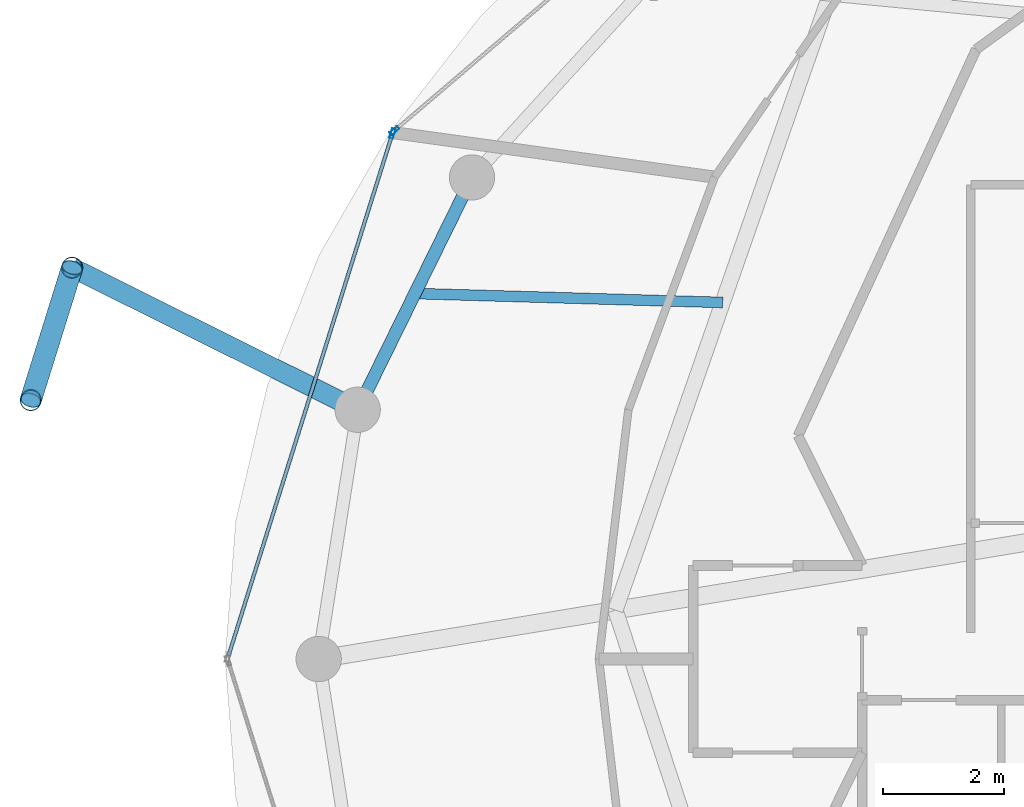
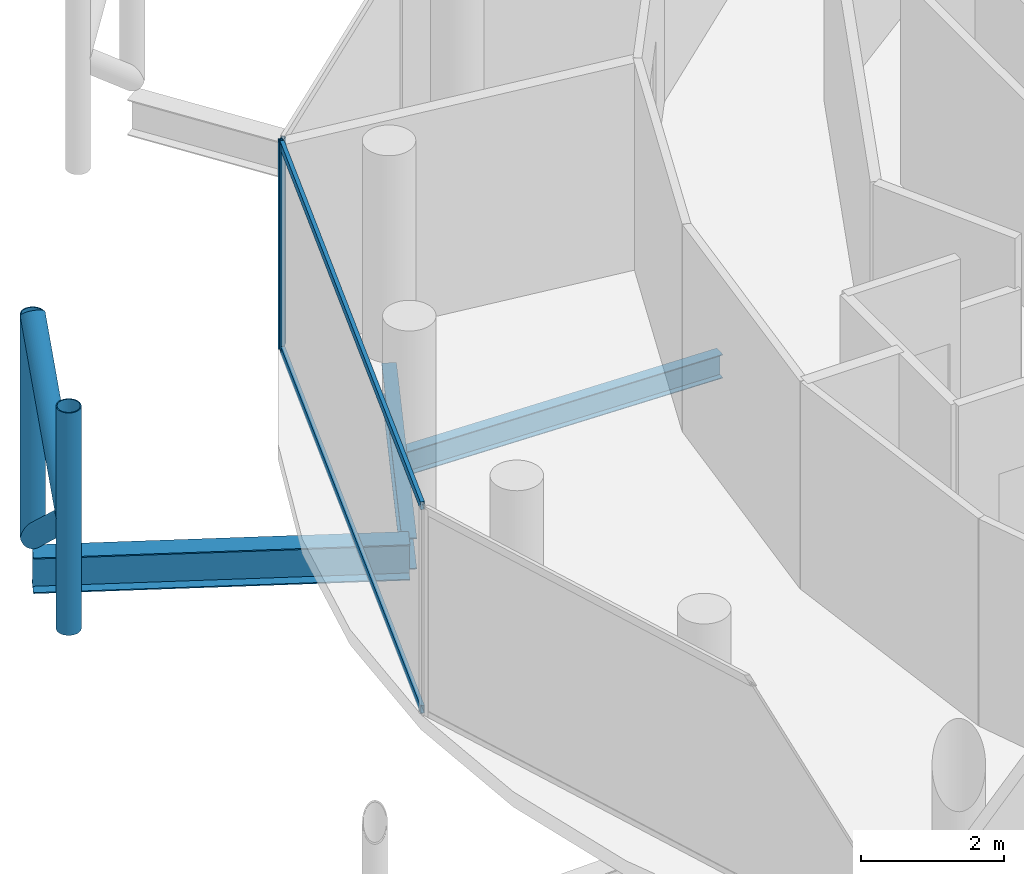
# One storey, part 7 of 24: 8 members, 3 beams, 2 elements without a shape of their own.
"""IFC4 building model written with IfcOpenShell, lengths in metres."""

from ifc_helpers import new_model, si_unit, direction, frame, origin, origin_2d, place, context, subcontext, project, spatial, hollow_rectangle, hollow_circle, i_section, extrude, material, layer, layer_set, material_profile, profile_set, type_object, element, aggregate, save


model = new_model("IFC4")

# Units and contexts
model_context = context("Model", 3, precision=1e-05, world=origin(), true_north=direction((0.0, 1.0)))
body_context = subcontext(model_context, "Body", "Model", "MODEL_VIEW")
ifc_project = project(units=[si_unit("LENGTHUNIT", "METRE"), si_unit("AREAUNIT", "SQUARE_METRE"), si_unit("VOLUMEUNIT", "CUBIC_METRE"), si_unit("PLANEANGLEUNIT", "RADIAN"), si_unit("MASSUNIT", "GRAM", prefix="KILO")], contexts=[model_context])

# Site, building, storey
site_placement = place(None, origin())
site = spatial("IfcSite", under=ifc_project, at=site_placement, CompositionType="ELEMENT")
building_placement = place(site_placement, origin())
building = spatial("IfcBuilding", under=site, at=building_placement, Name="Nuhasar Tower", CompositionType="ELEMENT")
storey_placement = place(building_placement, frame((0.0, 0.0, 270.800048828125)))
storey = spatial("IfcBuildingStorey", under=building, at=storey_placement, Name="L67", CompositionType="ELEMENT", Elevation=270.800048828125)

# Beams
ifc_material_1 = material(Name="Steel S355", Category="steel")
ifc_material_profile_1 = material_profile(ifc_material_1, i_section(OverallWidth=0.177978515625, OverallDepth=0.406005859375, WebThickness=0.0078125, FlangeThickness=0.0126953125, at=origin_2d()), Name="W16X40")
ifc_profile_set_1 = profile_set([ifc_material_profile_1], Name="Steel S355")
beam_type_1 = type_object("IfcBeamType", Name="BM-JST-W16X40", PredefinedType="JOIST", material=ifc_profile_set_1)
beam_1_placement = place(storey_placement, frame((26.739990234375, 32.7041015625, -0.463134765625), z_axis=(-0.999579139243, 0.02900938453, 0.0), x_axis=(-0.02900938453, -0.999579139243, 0.0)))
element("IfcBeam", 1, at=beam_1_placement, inside=storey, type_object=beam_type_1, Name="L67 Secondary Floor Joist 07", PredefinedType="JOIST", context=body_context, shape_type="SweptSolid", body=[
    extrude(i_section(OverallWidth=0.177978515625, OverallDepth=0.406005859375, WebThickness=0.0078125, FlangeThickness=0.0126953125, at=origin_2d()), origin(), (0.0, 0.0, 1.0), 5.10009765625),
])
ifc_material_profile_2 = material_profile(ifc_material_1, i_section(OverallWidth=0.2099609375, OverallDepth=0.537109375, WebThickness=0.010986328125, FlangeThickness=0.017333984375, at=origin_2d()), Name="W21X68")
ifc_profile_set_2 = profile_set([ifc_material_profile_2], Name="Steel S355")
beam_type_2 = type_object("IfcBeamType", Name="BM-RING-W21X68", PredefinedType="SPANDREL", material=ifc_profile_set_2)
beam_2_placement = place(storey_placement, frame((22.589111328125, 34.77490234375, -0.528076171875), z_axis=(-0.441533119295, -0.897244952377, 0.0), x_axis=(0.897244952377, -0.441533119295, 0.0)))
element("IfcBeam", 2, at=beam_2_placement, inside=storey, type_object=beam_type_2, Name="L67 Perimeter Ring Spandrel 11", PredefinedType="SPANDREL", context=body_context, shape_type="SweptSolid", body=[
    extrude(i_section(OverallWidth=0.2099609375, OverallDepth=0.537109375, WebThickness=0.010986328125, FlangeThickness=0.017333984375, at=origin_2d()), origin(), (0.0, 0.0, 1.0), 4.28759765625),
])
ifc_material_profile_3 = material_profile(ifc_material_1, i_section(OverallWidth=0.323974609375, OverallDepth=0.611083984375, WebThickness=0.0126953125, FlangeThickness=0.01904296875, at=origin_2d()), Name="W24X104")
ifc_profile_set_3 = profile_set([ifc_material_profile_3], Name="Steel S355")
beam_type_3 = type_object("IfcBeamType", Name="BM-TIE-W24X104", PredefinedType="BEAM", material=ifc_profile_set_3)
beam_3_placement = place(storey_placement, frame((20.696044921875, 30.927978515625, -0.56494140625), z_axis=(-0.895294451274, 0.445474853969, 0.0), x_axis=(-0.445474853969, -0.895294451274, 0.0)))
element("IfcBeam", 3, at=beam_3_placement, inside=storey, type_object=beam_type_3, Name="L67 Exoskeleton Node Tie Beam 06", PredefinedType="BEAM", context=body_context, shape_type="SweptSolid", body=[
    extrude(i_section(OverallWidth=0.323974609375, OverallDepth=0.611083984375, WebThickness=0.0126953125, FlangeThickness=0.01904296875, at=origin_2d()), origin(), (0.0, 0.0, 1.0), 5.281982421875),
])

# Curtain wall, member
ifc_material_2 = material(Name="Aluminium 6063-T6", Category="aluminium")
ifc_layer = layer(ifc_material_2, 0.18994140625)
ifc_layer_set = layer_set([ifc_layer], Name="Aluminium 6063-T6")
curtain_wall_type = type_object("IfcCurtainWallType", Name="CW-Z4-PEN", PredefinedType="NOTDEFINED", material=ifc_layer_set)
curtain_wall_1_placement = place(storey_placement, origin())
curtain_wall_1 = element("IfcCurtainWall", 4, at=curtain_wall_1_placement, inside=storey, type_object=curtain_wall_type, Name="L67 Unitised Curtain Wall 05", PredefinedType="NOTDEFINED")
ifc_material_profile_4 = material_profile(ifc_material_2, hollow_rectangle(XDim=0.06005859375, YDim=0.1650390625, WallThickness=0.0048828125, at=origin_2d()), Name="CWM-5")
ifc_profile_set_4 = profile_set([ifc_material_profile_4], Name="Aluminium 6063-T6")
member_type_1 = type_object("IfcMemberType", Name="CW-MUL-S5", PredefinedType="MULLION", material=ifc_profile_set_4)
member_1_placement = place(storey_placement, frame((21.3037109375, 35.549560546875, 0.0), z_axis=(0.0, 0.0, 1.0), x_axis=(0.649141996205, -0.760667252327, 0.0)))
member_1 = element("IfcMember", 5, at=member_1_placement, type_object=member_type_1, Name="CW-Z4 mullion 2", PredefinedType="MULLION", context=body_context, shape_type="SweptSolid", body=[
    extrude(hollow_rectangle(XDim=0.06005859375, YDim=0.1650390625, WallThickness=0.0048828125, at=origin_2d()), origin(), (0.0, 0.0, 1.0), 3.5400390625),
])
aggregate(curtain_wall_1, [member_1])

# Curtain wall, members
curtain_wall_2_placement = place(storey_placement, origin())
curtain_wall_2 = element("IfcCurtainWall", 6, at=curtain_wall_2_placement, inside=storey, type_object=curtain_wall_type, Name="L67 Unitised Curtain Wall 06", PredefinedType="NOTDEFINED")
member_2_placement = place(storey_placement, frame((21.27197265625, 35.50146484375, 0.0), z_axis=(0.0, 0.0, 1.0), x_axis=(0.954078526601, -0.299556614146, 0.0)))
member_2 = element("IfcMember", 7, at=member_2_placement, type_object=member_type_1, Name="CW-Z4 mullion 1", PredefinedType="MULLION", context=body_context, shape_type="SweptSolid", body=[
    extrude(hollow_rectangle(XDim=0.06005859375, YDim=0.1650390625, WallThickness=0.0048828125, at=origin_2d()), origin(), (0.0, 0.0, 1.0), 3.5400390625),
])
ifc_material_profile_5 = material_profile(ifc_material_2, hollow_rectangle(XDim=0.06005859375, YDim=0.135009765625, WallThickness=0.00439453125, at=origin_2d()), Name="CWT-5")
ifc_profile_set_5 = profile_set([ifc_material_profile_5], Name="Aluminium 6063-T6")
member_type_2 = type_object("IfcMemberType", Name="CW-TRN-S5", PredefinedType="USERDEFINED", material=ifc_profile_set_5)
member_3_placement = place(storey_placement, frame((21.262939453125, 35.47265625, 0.030029296875), z_axis=(-0.29956014073, -0.954077419335, 0.0), x_axis=(0.954077419335, -0.29956014073, 0.0)))
member_3 = element("IfcMember", 8, at=member_3_placement, type_object=member_type_2, Name="CW-Z4 transom 1.1", ObjectType="TRANSOM", PredefinedType="USERDEFINED", context=body_context, shape_type="SweptSolid", body=[
    extrude(hollow_rectangle(XDim=0.06005859375, YDim=0.135009765625, WallThickness=0.00439453125, at=origin_2d()), origin(), (0.0, 0.0, 1.0), 9.0302734375),
])
member_4_placement = place(storey_placement, frame((21.262939453125, 35.47265625, 3.510009765625), z_axis=(-0.29956014073, -0.954077419335, 0.0), x_axis=(0.954077419335, -0.29956014073, 0.0)))
member_4 = element("IfcMember", 9, at=member_4_placement, type_object=member_type_2, Name="CW-Z4 transom 1.2", ObjectType="TRANSOM", PredefinedType="USERDEFINED", context=body_context, shape_type="SweptSolid", body=[
    extrude(hollow_rectangle(XDim=0.06005859375, YDim=0.135009765625, WallThickness=0.00439453125, at=origin_2d()), origin(), (0.0, 0.0, 1.0), 9.0302734375),
])
aggregate(curtain_wall_2, [member_2, member_3, member_4])

# Members
ifc_material_3 = material(Name="Steel S460", Category="steel")
ifc_material_profile_6 = material_profile(ifc_material_3, hollow_circle(Radius=0.177734375, WallThickness=0.015869140625, at=origin_2d()), Name="HSS355.6X15.9")
ifc_profile_set_6 = profile_set([ifc_material_profile_6], Name="Steel S460")
member_type_3 = type_object("IfcMemberType", Name="EXO-BRONZE-356", PredefinedType="BRACE", material=ifc_profile_set_6)
for number, where, z_axis, x_axis, name in (
    (10, (15.967041015625, 33.281005859375, 0.0), (0.0, 0.0, 1.0), (1.0, 0.0, 0.0), "L67 Exoskeleton Chord Column EC-06A"),
    (11, (15.281982421875, 31.0859375, 0.0), (0.0, 0.0, 1.0), (1.0, 0.0, 0.0), "L67 Exoskeleton Chord Column EC-06B"),
):
    element("IfcMember", number, at=place(storey_placement, frame(where, z_axis=z_axis, x_axis=x_axis)), inside=storey, type_object=member_type_3, Name=name, PredefinedType="BRACE", context=body_context, shape_type="SweptSolid", body=[
        extrude(hollow_circle(Radius=0.177734375, WallThickness=0.015869140625, at=origin_2d()), origin(), (0.0, 0.0, 1.0), 3.800048828125),
    ])
for number, where, z_axis, x_axis, name in (
    (12, (15.967041015625, 33.281005859375, 0.0), (-0.229667527485, -0.735901902929, 0.636946792192), (0.954591372974, -0.297918295247, 0.0), "L67 Bronze Diagrid Brace W1-06"),
    (13, (15.281982421875, 31.0859375, 1.89990234375), (0.22965555433, 0.735863538482, 0.636995430987), (-0.954591372974, 0.297918295247, 0.0), "L67 Bronze Diagrid Brace W2-06"),
):
    element("IfcMember", number, at=place(storey_placement, frame(where, z_axis=z_axis, x_axis=x_axis)), inside=storey, type_object=member_type_3, Name=name, PredefinedType="BRACE", context=body_context, shape_type="SweptSolid", body=[
        extrude(hollow_circle(Radius=0.177734375, WallThickness=0.015869140625, at=origin_2d()), origin(), (0.0, 0.0, 1.0), 2.98291015625),
    ])

save(model, "model.ifc")
